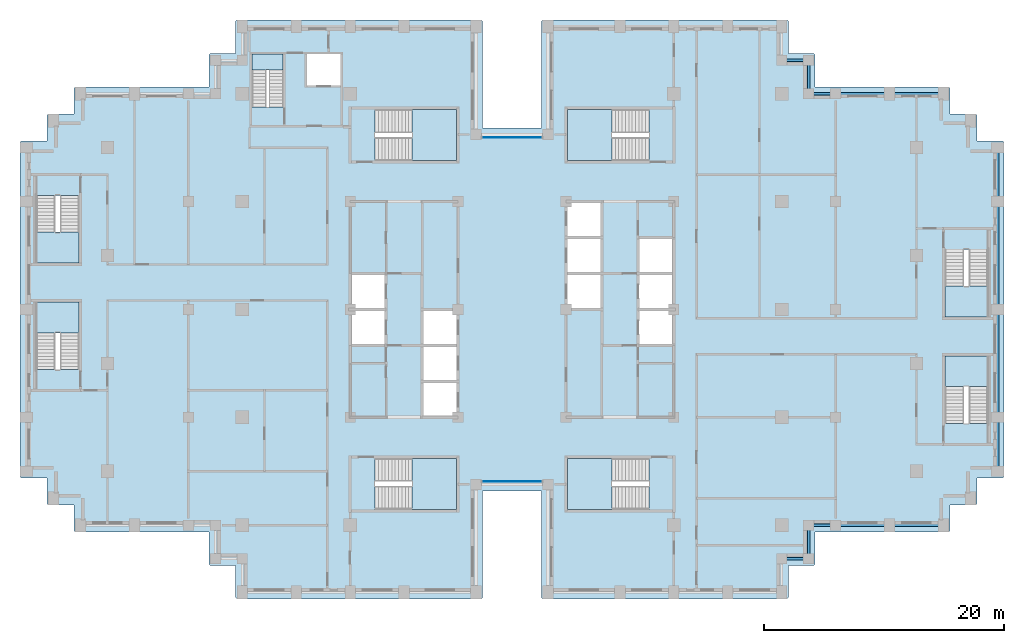
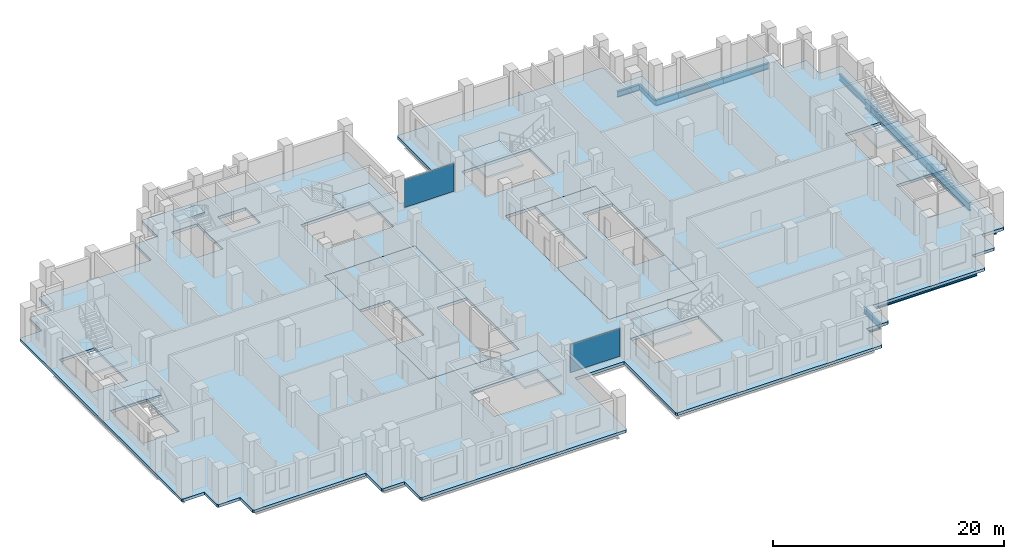
# One storey, part 5 of 15: 14 beams, 12 slabs, 2 plates, 11 elements without a shape of their own.
"""IFC4 building model written with IfcOpenShell, lengths in metres."""

from ifc_helpers import new_model, si_unit, direction, frame, origin, origin_2d, place, context, subcontext, project, spatial, polyline, rectangle, i_section, outline, extrude, material, layer, layer_set, material_profile, profile_set, type_object, element, aggregate, save


model = new_model("IFC4")

# Units and contexts
model_context = context("Model", 3, precision=1e-05, world=origin(), true_north=direction((0.0, 1.0)))
body_context = subcontext(model_context, "Body", "Model", "MODEL_VIEW")
ifc_project = project(units=[si_unit("LENGTHUNIT", "METRE"), si_unit("AREAUNIT", "SQUARE_METRE"), si_unit("VOLUMEUNIT", "CUBIC_METRE"), si_unit("PLANEANGLEUNIT", "RADIAN"), si_unit("MASSUNIT", "GRAM", prefix="KILO")], contexts=[model_context])

# Site, building, storey
site_placement = place(None, origin())
site = spatial("IfcSite", under=ifc_project, at=site_placement, CompositionType="ELEMENT")
building_placement = place(site_placement, origin())
building = spatial("IfcBuilding", under=site, at=building_placement, Name="Corbelhall Arena Tower", CompositionType="ELEMENT")
storey_placement = place(building_placement, frame((0.0, 0.0, 162.0)))
storey = spatial("IfcBuildingStorey", under=building, at=storey_placement, Name="L32", CompositionType="ELEMENT", Elevation=162.0)

# Beams
ifc_material_1 = material(Name="Steel ASTM A992 Gr50", Category="steel")
ifc_material_profile_1 = material_profile(ifc_material_1, i_section(OverallWidth=0.22900390625, OverallDepth=0.612060546875, WebThickness=0.011962890625, FlangeThickness=0.01953125, at=origin_2d()))
ifc_profile_set_1 = profile_set([ifc_material_profile_1], Name="Steel ASTM A992 Gr50")
beam_type_1 = type_object("IfcBeamType", Name="ST-SPANDREL-W24x84", PredefinedType="SPANDREL", material=ifc_profile_set_1)
for number, where, z_axis, x_axis, name in (
    (1, (40.5, 13.5, -0.60595703125), (0.0, -1.0, 0.0), (1.0, 0.0, 0.0), "Beam SP 10"),
    (2, (40.5, -9.0, -0.60595703125), (0.0, -1.0, 0.0), (1.0, 0.0, 0.0), "Beam SP 11"),
    (3, (31.5, 18.0, -0.60595703125), (1.0, 0.0, 0.0), (0.0, 1.0, 0.0), "Beam SP 12"),
    (4, (31.5, -18.0, -0.60595703125), (-1.0, 0.0, 0.0), (0.0, -1.0, 0.0), "Beam SP 13"),
    (5, (36.0, -18.0, -0.60595703125), (-1.0, 0.0, 0.0), (0.0, -1.0, 0.0), "Beam SP 14"),
    (6, (27.0, 18.0, -0.60595703125), (1.0, 0.0, 0.0), (0.0, 1.0, 0.0), "Beam SP 15"),
):
    element("IfcBeam", number, at=place(storey_placement, frame(where, z_axis=z_axis, x_axis=x_axis)), inside=storey, type_object=beam_type_1, Name=name, PredefinedType="SPANDREL", context=body_context, shape_type="SweptSolid", body=[
        extrude(i_section(OverallWidth=0.22900390625, OverallDepth=0.612060546875, WebThickness=0.011962890625, FlangeThickness=0.01953125, at=origin_2d()), origin(), (0.0, 0.0, 1.0), 4.5),
    ])
for number, where, z_axis, x_axis, name in (
    (7, (27.0, -18.0, -0.60595703125), (-1.0, 0.0, 0.0), (0.0, -1.0, 0.0), "Beam SP 16"),
    (8, (22.5, 20.800048828125, -0.60595703125), (1.0, 0.0, 0.0), (0.0, 1.0, 0.0), "Beam SP 43"),
):
    element("IfcBeam", number, at=place(storey_placement, frame(where, z_axis=z_axis, x_axis=x_axis)), inside=storey, type_object=beam_type_1, Name=name, PredefinedType="SPANDREL", context=body_context, shape_type="SweptSolid", body=[
        extrude(i_section(OverallWidth=0.22900390625, OverallDepth=0.612060546875, WebThickness=0.011962890625, FlangeThickness=0.01953125, at=origin_2d()), origin(), (0.0, 0.0, 1.0), 2.25),
    ])
beam_1_placement = place(storey_placement, frame((24.75, 20.800048828125, -0.60595703125), z_axis=(0.0, -1.0, 0.0), x_axis=(1.0, 0.0, 0.0)))
element("IfcBeam", 9, at=beam_1_placement, inside=storey, type_object=beam_type_1, Name="Beam SP 44", PredefinedType="SPANDREL", context=body_context, shape_type="SweptSolid", body=[
    extrude(i_section(OverallWidth=0.22900390625, OverallDepth=0.612060546875, WebThickness=0.011962890625, FlangeThickness=0.01953125, at=origin_2d()), origin(), (0.0, 0.0, 1.0), 2.800048828125),
])
for number, where, z_axis, x_axis, name in (
    (10, (24.75, 18.0, -0.60595703125), (1.0, 0.0, 0.0), (0.0, 1.0, 0.0), "Beam SP 45"),
    (11, (24.75, -20.800048828125, -0.60595703125), (-1.0, 0.0, 0.0), (0.0, -1.0, 0.0), "Beam SP 50"),
):
    element("IfcBeam", number, at=place(storey_placement, frame(where, z_axis=z_axis, x_axis=x_axis)), inside=storey, type_object=beam_type_1, Name=name, PredefinedType="SPANDREL", context=body_context, shape_type="SweptSolid", body=[
        extrude(i_section(OverallWidth=0.22900390625, OverallDepth=0.612060546875, WebThickness=0.011962890625, FlangeThickness=0.01953125, at=origin_2d()), origin(), (0.0, 0.0, 1.0), 2.25),
    ])
beam_2_placement = place(storey_placement, frame((24.75, -18.0, -0.60595703125), z_axis=(0.0, -1.0, 0.0), x_axis=(1.0, 0.0, 0.0)))
element("IfcBeam", 12, at=beam_2_placement, inside=storey, type_object=beam_type_1, Name="Beam SP 51", PredefinedType="SPANDREL", context=body_context, shape_type="SweptSolid", body=[
    extrude(i_section(OverallWidth=0.22900390625, OverallDepth=0.612060546875, WebThickness=0.011962890625, FlangeThickness=0.01953125, at=origin_2d()), origin(), (0.0, 0.0, 1.0), 2.800048828125),
])
ifc_material_profile_2 = material_profile(ifc_material_1, i_section(OverallWidth=0.2919921875, OverallDepth=0.845703125, WebThickness=0.015380859375, FlangeThickness=0.0244140625, at=origin_2d()))
ifc_profile_set_2 = profile_set([ifc_material_profile_2], Name="Steel ASTM A992 Gr50")
beam_type_2 = type_object("IfcBeamType", Name="ST-SPANDREL-W33x141", PredefinedType="SPANDREL", material=ifc_profile_set_2)
for number, where, z_axis, x_axis, name in (
    (13, (40.5, 0.0, -0.722900390625), (0.0, -1.0, 0.0), (1.0, 0.0, 0.0), "Beam SP 8"),
    (14, (40.5, 9.0, -0.722900390625), (0.0, -1.0, 0.0), (1.0, 0.0, 0.0), "Beam SP 9"),
):
    element("IfcBeam", number, at=place(storey_placement, frame(where, z_axis=z_axis, x_axis=x_axis)), inside=storey, type_object=beam_type_2, Name=name, PredefinedType="SPANDREL", context=body_context, shape_type="SweptSolid", body=[
        extrude(i_section(OverallWidth=0.2919921875, OverallDepth=0.845703125, WebThickness=0.015380859375, FlangeThickness=0.0244140625, at=origin_2d()), origin(), (0.0, 0.0, 1.0), 9.0),
    ])

# Curtain wall, plate
ifc_material_2 = material(Name="Aluminium black anodised", Category="aluminium")
ifc_layer_1 = layer(ifc_material_2, 0.199951171875)
ifc_layer_set_1 = layer_set([ifc_layer_1], Name="EV-CW1 Slot back wall")
curtain_wall_type = type_object("IfcCurtainWallType", Name="EV-CW1 Slot back wall", PredefinedType="NOTDEFINED", material=ifc_layer_set_1)
curtain_wall_1_placement = place(storey_placement, origin())
curtain_wall_1 = element("IfcCurtainWall", 15, at=curtain_wall_1_placement, inside=storey, type_object=curtain_wall_type, Name="Curtain wall CW1", PredefinedType="NOTDEFINED")
ifc_material_3 = material(Name="Glass dark tinted laminated", Category="glass")
ifc_layer_2 = layer(ifc_material_3, 0.028076171875)
ifc_layer_set_2 = layer_set([ifc_layer_2], Name="EV-CW1-PANEL")
plate_type = type_object("IfcPlateType", Name="EV-CW1-PANEL", PredefinedType="CURTAIN_PANEL", material=ifc_layer_set_2)
plate_1_placement = place(storey_placement, frame((0.0, -14.35009765625, 0.0751953125), z_axis=(0.0, 0.0, 1.0), x_axis=(1.0, 0.0, 0.0)))
plate_1 = element("IfcPlate", 16, at=plate_1_placement, type_object=plate_type, Name="CW1 panel 1.1", PredefinedType="CURTAIN_PANEL", context=body_context, shape_type="SweptSolid", body=[
    extrude(rectangle(XDim=4.949951171875, YDim=0.028076171875, at=origin_2d()), origin(), (0.0, 0.0, 1.0), 2.949951171875),
])
aggregate(curtain_wall_1, [plate_1])

curtain_wall_2_placement = place(storey_placement, origin())
curtain_wall_2 = element("IfcCurtainWall", 17, at=curtain_wall_2_placement, inside=storey, type_object=curtain_wall_type, Name="Curtain wall CW1", PredefinedType="NOTDEFINED")
plate_2_placement = place(storey_placement, frame((0.0, 14.35009765625, 0.0751953125), z_axis=(0.0, 0.0, 1.0), x_axis=(-1.0, 0.0, 0.0)))
plate_2 = element("IfcPlate", 18, at=plate_2_placement, type_object=plate_type, Name="CW1 panel 1.1", PredefinedType="CURTAIN_PANEL", context=body_context, shape_type="SweptSolid", body=[
    extrude(rectangle(XDim=4.949951171875, YDim=0.028076171875, at=origin_2d()), origin(), (0.0, 0.0, 1.0), 2.949951171875),
])
aggregate(curtain_wall_2, [plate_2])

# Slabs
ifc_material_4 = material(Name="Concrete C40/50", Category="concrete")
ifc_layer_3 = layer(ifc_material_4, 0.300048828125)
ifc_layer_set_3 = layer_set([ifc_layer_3], Name="IN-SL-CORE")
slab_type_1 = type_object("IfcSlabType", Name="IN-SL-CORE", PredefinedType="FLOOR", material=ifc_layer_set_3)
slab_1_placement = place(storey_placement, frame((0.0, 0.0, -0.300048828125)))
element("IfcSlab", 19, at=slab_1_placement, inside=storey, type_object=slab_type_1, Name="Core floor W", PredefinedType="FLOOR", context=body_context, shape_type="SweptSolid", body=[
    extrude(outline(polyline([(-7.5, 0.0), (-4.5, 0.0), (-4.5, 9.0), (-13.5, 9.0), (-13.5, 3.0), (-10.5, 3.0), (-10.5, 0.0), (-10.5, -3.0), (-13.5, -3.0), (-13.5, -9.0), (-7.5, -9.0), (-7.5, -6.0), (-7.5, -3.0), (-7.5, 0.0)])), origin(), (0.0, 0.0, 1.0), 0.300048828125),
])
slab_2_placement = place(storey_placement, frame((0.0, 0.0, -0.300048828125)))
element("IfcSlab", 20, at=slab_2_placement, inside=storey, type_object=slab_type_1, Name="Core floor E", PredefinedType="FLOOR", context=body_context, shape_type="SweptSolid", body=[
    extrude(outline(polyline([(7.5, 0.0), (4.5, 0.0), (4.5, -9.0), (13.5, -9.0), (13.5, -3.0), (10.5, -3.0), (10.5, 0.0), (10.5, 3.0), (10.5, 6.0), (13.5, 6.0), (13.5, 9.0), (7.5, 9.0), (7.5, 6.0), (7.5, 3.0), (7.5, 0.0)])), origin(), (0.0, 0.0, 1.0), 0.300048828125),
])

# Stair, slab
stair_type = type_object("IfcStairType", Name="IN-ST-TOWER", PredefinedType="HALF_TURN_STAIR", material=ifc_material_4)
stair_1_placement = place(storey_placement, origin())
stair_1 = element("IfcStair", 21, at=stair_1_placement, inside=storey, type_object=stair_type, Name="L32 Exit stair ST1", PredefinedType="HALF_TURN_STAIR")
ifc_layer_4 = layer(ifc_material_4, 0.199951171875)
ifc_layer_set_4 = layer_set([ifc_layer_4], Name="IN-SL-LANDING")
slab_type_2 = type_object("IfcSlabType", Name="IN-SL-LANDING", PredefinedType="LANDING", material=ifc_layer_set_4)
slab_3_placement = place(storey_placement, frame((0.0, 0.0, 1.800048828125)))
slab_3 = element("IfcSlab", 22, at=slab_3_placement, type_object=slab_type_2, Name="ST1 landing 1", PredefinedType="LANDING", context=body_context, shape_type="SweptSolid", body=[
    extrude(outline(polyline([(-8.344970703125, 12.425048828125), (-4.625, 12.425048828125), (-4.625, 16.675048828125), (-8.344970703125, 16.675048828125), (-8.344970703125, 12.425048828125)])), origin(), (0.0, 0.0, 1.0), 0.199951171875),
])
aggregate(stair_1, [slab_3])

stair_2_placement = place(storey_placement, origin())
stair_2 = element("IfcStair", 23, at=stair_2_placement, inside=storey, type_object=stair_type, Name="L32 Exit stair ST2", PredefinedType="HALF_TURN_STAIR")
slab_4_placement = place(storey_placement, frame((0.0, 0.0, 1.800048828125)))
slab_4 = element("IfcSlab", 24, at=slab_4_placement, type_object=slab_type_2, Name="ST2 landing 1", PredefinedType="LANDING", context=body_context, shape_type="SweptSolid", body=[
    extrude(outline(polyline([(-8.344970703125, -16.675048828125), (-4.625, -16.675048828125), (-4.625, -12.425048828125), (-8.344970703125, -12.425048828125), (-8.344970703125, -16.675048828125)])), origin(), (0.0, 0.0, 1.0), 0.199951171875),
])
aggregate(stair_2, [slab_4])

stair_3_placement = place(storey_placement, origin())
stair_3 = element("IfcStair", 25, at=stair_3_placement, inside=storey, type_object=stair_type, Name="L32 Exit stair ST3", PredefinedType="HALF_TURN_STAIR")
slab_5_placement = place(storey_placement, frame((0.0, 0.0, 1.800048828125)))
slab_5 = element("IfcSlab", 26, at=slab_5_placement, type_object=slab_type_2, Name="ST3 landing 1", PredefinedType="LANDING", context=body_context, shape_type="SweptSolid", body=[
    extrude(outline(polyline([(8.344970703125, 16.675048828125), (4.625, 16.675048828125), (4.625, 12.425048828125), (8.344970703125, 12.425048828125), (8.344970703125, 16.675048828125)])), origin(), (0.0, 0.0, 1.0), 0.199951171875),
])
aggregate(stair_3, [slab_5])

stair_4_placement = place(storey_placement, origin())
stair_4 = element("IfcStair", 27, at=stair_4_placement, inside=storey, type_object=stair_type, Name="L32 Exit stair ST4", PredefinedType="HALF_TURN_STAIR")
slab_6_placement = place(storey_placement, frame((0.0, 0.0, 1.800048828125)))
slab_6 = element("IfcSlab", 28, at=slab_6_placement, type_object=slab_type_2, Name="ST4 landing 1", PredefinedType="LANDING", context=body_context, shape_type="SweptSolid", body=[
    extrude(outline(polyline([(8.344970703125, -12.425048828125), (4.625, -12.425048828125), (4.625, -16.675048828125), (8.344970703125, -16.675048828125), (8.344970703125, -12.425048828125)])), origin(), (0.0, 0.0, 1.0), 0.199951171875),
])
aggregate(stair_4, [slab_6])

stair_5_placement = place(storey_placement, origin())
stair_5 = element("IfcStair", 29, at=stair_5_placement, inside=storey, type_object=stair_type, Name="L32 Exit stair SC1", PredefinedType="HALF_TURN_STAIR")
slab_7_placement = place(storey_placement, frame((0.0, 0.0, 1.800048828125)))
slab_7 = element("IfcSlab", 30, at=slab_7_placement, type_object=slab_type_2, Name="SC1 landing 1", PredefinedType="LANDING", context=body_context, shape_type="SweptSolid", body=[
    extrude(outline(polyline([(-39.699951171875, 6.445068359375), (-39.699951171875, 3.875), (-36.125, 3.875), (-36.125, 6.445068359375), (-39.699951171875, 6.445068359375)])), origin(), (0.0, 0.0, 1.0), 0.199951171875),
])
aggregate(stair_5, [slab_7])

stair_6_placement = place(storey_placement, origin())
stair_6 = element("IfcStair", 31, at=stair_6_placement, inside=storey, type_object=stair_type, Name="L32 Exit stair SC2", PredefinedType="HALF_TURN_STAIR")
slab_8_placement = place(storey_placement, frame((0.0, 0.0, 1.800048828125)))
slab_8 = element("IfcSlab", 32, at=slab_8_placement, type_object=slab_type_2, Name="SC2 landing 1", PredefinedType="LANDING", context=body_context, shape_type="SweptSolid", body=[
    extrude(outline(polyline([(-36.125, -1.945068359375), (-36.125, 0.625), (-39.699951171875, 0.625), (-39.699951171875, -1.945068359375), (-36.125, -1.945068359375)])), origin(), (0.0, 0.0, 1.0), 0.199951171875),
])
aggregate(stair_6, [slab_8])

stair_7_placement = place(storey_placement, origin())
stair_7 = element("IfcStair", 33, at=stair_7_placement, inside=storey, type_object=stair_type, Name="L32 Exit stair SD1", PredefinedType="HALF_TURN_STAIR")
slab_9_placement = place(storey_placement, frame((0.0, 0.0, 1.800048828125)))
slab_9 = element("IfcSlab", 34, at=slab_9_placement, type_object=slab_type_2, Name="SD1 landing 1", PredefinedType="LANDING", context=body_context, shape_type="SweptSolid", body=[
    extrude(outline(polyline([(39.699951171875, -6.445068359375), (39.699951171875, -3.875), (36.125, -3.875), (36.125, -6.445068359375), (39.699951171875, -6.445068359375)])), origin(), (0.0, 0.0, 1.0), 0.199951171875),
])
aggregate(stair_7, [slab_9])

stair_8_placement = place(storey_placement, origin())
stair_8 = element("IfcStair", 35, at=stair_8_placement, inside=storey, type_object=stair_type, Name="L32 Exit stair SD2", PredefinedType="HALF_TURN_STAIR")
slab_10_placement = place(storey_placement, frame((0.0, 0.0, 1.800048828125)))
slab_10 = element("IfcSlab", 36, at=slab_10_placement, type_object=slab_type_2, Name="SD2 landing 1", PredefinedType="LANDING", context=body_context, shape_type="SweptSolid", body=[
    extrude(outline(polyline([(36.125, 1.945068359375), (36.125, -0.625), (39.699951171875, -0.625), (39.699951171875, 1.945068359375), (36.125, 1.945068359375)])), origin(), (0.0, 0.0, 1.0), 0.199951171875),
])
aggregate(stair_8, [slab_10])

stair_9_placement = place(storey_placement, origin())
stair_9 = element("IfcStair", 37, at=stair_9_placement, inside=storey, type_object=stair_type, Name="L32 Exit stair ST5", PredefinedType="HALF_TURN_STAIR")
slab_11_placement = place(storey_placement, frame((0.0, 0.0, 1.800048828125)))
slab_11 = element("IfcSlab", 38, at=slab_11_placement, type_object=slab_type_2, Name="ST5 landing 1", PredefinedType="LANDING", context=body_context, shape_type="SweptSolid", body=[
    extrude(outline(polyline([(-19.094970703125, 19.97998046875), (-19.094970703125, 21.300048828125), (-21.695068359375, 21.300048828125), (-21.695068359375, 19.97998046875), (-19.094970703125, 19.97998046875)])), origin(), (0.0, 0.0, 1.0), 0.199951171875),
])
aggregate(stair_9, [slab_11])

# Slab
ifc_layer_5 = layer(ifc_material_4, 0.300048828125)
ifc_layer_set_5 = layer_set([ifc_layer_5], Name="ST-SLAB-FLOOR-300")
slab_type_3 = type_object("IfcSlabType", Name="ST-SLAB-FLOOR-300", PredefinedType="FLOOR", material=ifc_layer_set_5)
slab_12_placement = place(storey_placement, frame((0.0, 0.0, -0.300048828125)))
element("IfcSlab", 39, at=slab_12_placement, inside=storey, type_object=slab_type_3, Name="Floor slab L32 1", PredefinedType="FLOOR", context=body_context, shape_type="SweptSolid", body=[
    extrude(outline(polyline([(25.300048828125, 18.550048828125), (25.300048828125, 21.25), (25.199951171875, 21.35009765625), (23.050048828125, 21.35009765625), (23.050048828125, 24.050048828125), (22.949951171875, 24.14990234375), (2.550048828125, 24.14990234375), (2.449951171875, 24.050048828125), (2.449951171875, 15.14990234375), (-2.449951171875, 15.14990234375), (-2.449951171875, 24.050048828125), (-2.550048828125, 24.14990234375), (-22.949951171875, 24.14990234375), (-23.050048828125, 24.050048828125), (-23.050048828125, 21.35009765625), (-25.199951171875, 21.35009765625), (-25.300048828125, 21.25), (-25.300048828125, 18.550048828125), (-36.449951171875, 18.550048828125), (-36.550048828125, 18.449951171875), (-36.550048828125, 16.300048828125), (-38.699951171875, 16.300048828125), (-38.800048828125, 16.199951171875), (-38.800048828125, 14.050048828125), (-40.949951171875, 14.050048828125), (-41.050048828125, 13.949951171875), (-41.050048828125, -13.949951171875), (-40.949951171875, -14.050048828125), (-38.800048828125, -14.050048828125), (-38.800048828125, -16.199951171875), (-38.699951171875, -16.300048828125), (-36.550048828125, -16.300048828125), (-36.550048828125, -18.449951171875), (-36.449951171875, -18.550048828125), (-25.300048828125, -18.550048828125), (-25.300048828125, -21.25), (-25.199951171875, -21.35009765625), (-23.050048828125, -21.35009765625), (-23.050048828125, -24.050048828125), (-22.949951171875, -24.14990234375), (-2.550048828125, -24.14990234375), (-2.449951171875, -24.050048828125), (-2.449951171875, -15.14990234375), (2.449951171875, -15.14990234375), (2.449951171875, -24.050048828125), (2.550048828125, -24.14990234375), (22.949951171875, -24.14990234375), (23.050048828125, -24.050048828125), (23.050048828125, -21.35009765625), (25.199951171875, -21.35009765625), (25.300048828125, -21.25), (25.300048828125, -18.550048828125), (36.449951171875, -18.550048828125), (36.550048828125, -18.449951171875), (36.550048828125, -16.300048828125), (38.699951171875, -16.300048828125), (38.800048828125, -16.199951171875), (38.800048828125, -14.050048828125), (40.949951171875, -14.050048828125), (41.050048828125, -13.949951171875), (41.050048828125, 13.949951171875), (40.949951171875, 14.050048828125), (38.800048828125, 14.050048828125), (38.800048828125, 16.199951171875), (38.699951171875, 16.300048828125), (36.550048828125, 16.300048828125), (36.550048828125, 18.449951171875), (36.449951171875, 18.550048828125), (25.300048828125, 18.550048828125)]), holes=[polyline([(-13.5, 9.0), (-13.5, -9.0), (-4.5, -9.0), (-4.5, 9.0), (-13.5, 9.0)]), polyline([(4.5, 9.0), (4.5, -9.0), (13.5, -9.0), (13.5, 9.0), (4.5, 9.0)]), polyline([(-4.625, 16.675048828125), (-11.422119140625, 16.675048828125), (-11.422119140625, 12.425048828125), (-4.625, 12.425048828125), (-4.625, 16.675048828125)]), polyline([(-4.625, -16.675048828125), (-4.625, -12.425048828125), (-11.422119140625, -12.425048828125), (-11.422119140625, -16.675048828125), (-4.625, -16.675048828125)]), polyline([(11.422119140625, 16.675048828125), (4.625, 16.675048828125), (4.625, 12.425048828125), (11.422119140625, 12.425048828125), (11.422119140625, 16.675048828125)]), polyline([(11.422119140625, -16.675048828125), (11.422119140625, -12.425048828125), (4.625, -12.425048828125), (4.625, -16.675048828125), (11.422119140625, -16.675048828125)]), polyline([(-36.125, 3.875), (-36.125, 9.52197265625), (-39.699951171875, 9.52197265625), (-39.699951171875, 3.875), (-36.125, 3.875)]), polyline([(-36.125, 0.625), (-39.699951171875, 0.625), (-39.699951171875, -5.02197265625), (-36.125, -5.02197265625), (-36.125, 0.625)]), polyline([(39.699951171875, -9.52197265625), (39.699951171875, -3.875), (36.125, -3.875), (36.125, -9.52197265625), (39.699951171875, -9.52197265625)]), polyline([(39.699951171875, 5.02197265625), (36.125, 5.02197265625), (36.125, -0.625), (39.699951171875, -0.625), (39.699951171875, 5.02197265625)]), polyline([(-21.695068359375, 21.300048828125), (-21.695068359375, 16.903076171875), (-19.094970703125, 16.903076171875), (-19.094970703125, 21.300048828125), (-21.695068359375, 21.300048828125)]), polyline([(-14.300048828125, 21.300048828125), (-17.10009765625, 21.300048828125), (-17.10009765625, 18.699951171875), (-14.300048828125, 18.699951171875), (-14.300048828125, 21.300048828125)])]), origin(), (0.0, 0.0, 1.0), 0.300048828125),
])

save(model, "model.ifc")
